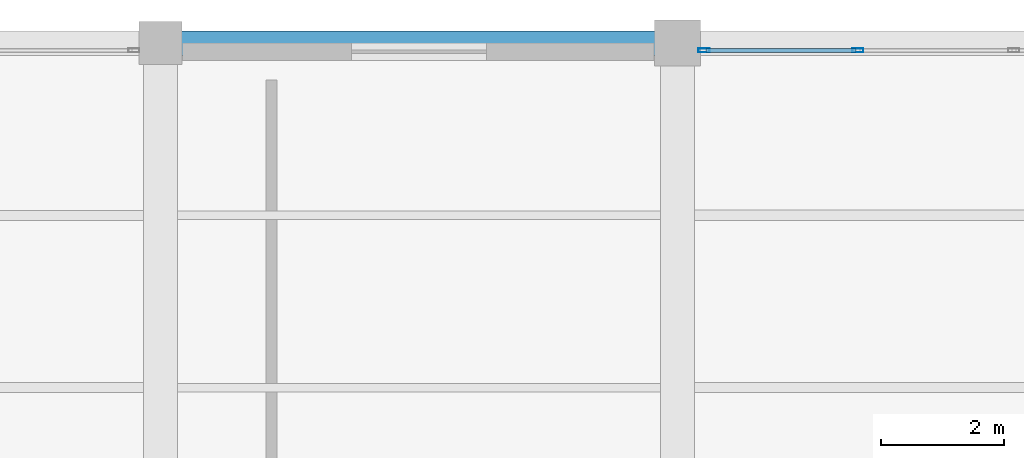
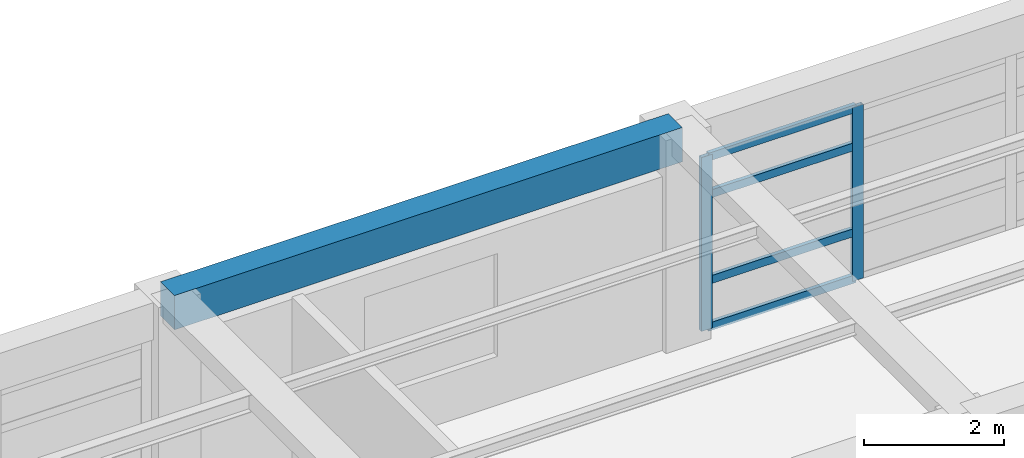
# One storey, part 20 of 26: 6 members, 1 beam, 1 element without a shape of its own.
"""IFC4 building model written with IfcOpenShell, lengths in metres."""

import ifcopenshell
import ifcopenshell.guid

model = None  # the IFC model being written
_history = None  # IfcOwnerHistory: only IFC2X3 demands one
_inside = {}  # id of a spatial element -> (the spatial element, [elements in it])
_under = {}  # id of a project, library or spatial element -> (it, [spatial elements below it])
_declared = {}  # id of a project -> (the project, [libraries it declares])
_typed = {}  # id of a type object -> (the type object, [elements of that type])
_made_of = {}  # id of a material, layer set ... -> (it, [elements and type objects made of it])


def new_model(schema):
    """Start an empty IFC model of exactly this schema.

    Asked for "IFC4X3", IfcOpenShell would pick the latest addendum, in which some entities
    have other attributes; the version numbers below select the first issue.
    IFC2X3 requires an IfcOwnerHistory on every rooted entity: one is made here for all.
    """
    global model, _history
    if schema == "IFC4X3":
        model = ifcopenshell.file(schema_version=(4, 3, 0, 0))
    else:
        model = ifcopenshell.file(schema=schema)
    _inside.clear()
    _under.clear()
    _declared.clear()
    _typed.clear()
    _made_of.clear()
    _history = None
    if model.schema == "IFC2X3":
        org = make("IfcOrganization", Name="unknown")
        user = make(
            "IfcPersonAndOrganization",
            ThePerson=make("IfcPerson", FamilyName="unknown"),
            TheOrganization=org,
        )
        app = make(
            "IfcApplication",
            ApplicationDeveloper=org,
            Version="unknown",
            ApplicationFullName="unknown",
            ApplicationIdentifier="unknown",
        )
        _history = make(
            "IfcOwnerHistory",
            OwningUser=user,
            OwningApplication=app,
            ChangeAction="ADDED",
            CreationDate=0,
        )
    return model


def make(cls, **values):
    """One entity of the class cls with the attributes given. An attribute that is None is left unset."""
    return model.create_entity(
        cls, **{name: value for name, value in values.items() if value is not None}
    )


def rooted(cls, **values):
    """An entity with a GlobalId (a new one), such as an element, a storey or a relation."""
    return make(cls, GlobalId=ifcopenshell.guid.new(), OwnerHistory=_history, **values)


def si_unit(unit_type, name, prefix=None):
    """IfcSIUnit, for example si_unit("LENGTHUNIT", "METRE", prefix="MILLI")."""
    return make("IfcSIUnit", UnitType=unit_type, Prefix=prefix, Name=name)


def assignment(units):
    """IfcUnitAssignment: the units of a project."""
    return None if units is None else make("IfcUnitAssignment", Units=units)


def point(xyz):
    """IfcCartesianPoint."""
    return None if xyz is None else make("IfcCartesianPoint", Coordinates=xyz)


def direction(xyz):
    """IfcDirection."""
    return None if xyz is None else make("IfcDirection", DirectionRatios=xyz)


def frame(location, z_axis=None, x_axis=None):
    """IfcAxis2Placement3D, a coordinate frame: its origin and axes. An axis left out is left unset."""
    return make(
        "IfcAxis2Placement3D",
        Location=point(location),
        Axis=direction(z_axis),
        RefDirection=direction(x_axis),
    )


def frame_2d(location, x_axis=None):
    """IfcAxis2Placement2D, a coordinate frame in the plane: its origin and x axis."""
    return make(
        "IfcAxis2Placement2D", Location=point(location), RefDirection=direction(x_axis)
    )


def origin():
    """The frame at (0, 0, 0) with its axes left unset."""
    return frame((0.0, 0.0, 0.0))


def origin_2d():
    """The frame at (0, 0) in the plane with its x axis left unset."""
    return frame_2d((0.0, 0.0))


def place(relative_to, where):
    """IfcLocalPlacement: puts the frame where relative to a parent placement (None: the world)."""
    return make(
        "IfcLocalPlacement", PlacementRelTo=relative_to, RelativePlacement=where
    )


def context(
    kind, dimensions, precision=None, world=None, true_north=None, identifier=None
):
    """IfcGeometricRepresentationContext, for example the 3D "Model" context."""
    return make(
        "IfcGeometricRepresentationContext",
        ContextIdentifier=identifier,
        ContextType=kind,
        CoordinateSpaceDimension=dimensions,
        Precision=precision,
        WorldCoordinateSystem=world,
        TrueNorth=true_north,
    )


def subcontext(parent, identifier, kind, view, scale=None):
    """IfcGeometricRepresentationSubContext, for example "Body" below "Model"."""
    return make(
        "IfcGeometricRepresentationSubContext",
        ContextIdentifier=identifier,
        ContextType=kind,
        ParentContext=parent,
        TargetScale=scale,
        TargetView=view,
    )


def project(units=None, contexts=None):
    """IfcProject with its units and contexts."""
    return rooted(
        "IfcProject",
        Name="project",
        RepresentationContexts=contexts,
        UnitsInContext=assignment(units),
    )


def spatial(cls, under=None, at=None, **own):
    """A site, building, storey or space (cls), placed at a placement, below another one or the project."""
    s = rooted(cls, ObjectPlacement=at, **own)
    if under is not None:
        _under.setdefault(under.id(), (under, []))[1].append(s)
    return s


def profile(cls, at=None, kind="AREA", **sizes):
    """A parametric profile (cls). Its sizes go by their IFC names, for example OverallWidth=200.0."""
    return make(cls, ProfileType=kind, Position=at, **sizes)


def rectangle(**sizes):
    """IfcRectangleProfileDef."""
    return profile("IfcRectangleProfileDef", **sizes)


def hollow_rectangle(**sizes):
    """IfcRectangleHollowProfileDef."""
    return profile("IfcRectangleHollowProfileDef", **sizes)


def extrude(swept, where, along, depth):
    """IfcExtrudedAreaSolid: the profile swept, set in the frame where, extruded along a direction by depth."""
    return make(
        "IfcExtrudedAreaSolid",
        SweptArea=swept,
        Position=where,
        ExtrudedDirection=direction(along),
        Depth=depth,
    )


def shape(context_of_items, identifier, shape_type, items):
    """IfcShapeRepresentation: the items that make up one representation, for example the "Body"."""
    return make(
        "IfcShapeRepresentation",
        ContextOfItems=context_of_items,
        RepresentationIdentifier=identifier,
        RepresentationType=shape_type,
        Items=items,
    )


def material(Name=None, Category=None):
    """IfcMaterial."""
    return make("IfcMaterial", Name=Name, Category=Category)


def material_profile(
    of_material, cross_section, Name=None, Category=None, Priority=None
):
    """IfcMaterialProfile: a cross section and its material."""
    return make(
        "IfcMaterialProfile",
        Name=Name,
        Material=of_material,
        Profile=cross_section,
        Priority=Priority,
        Category=Category,
    )


def profile_set(profiles, Name=None, composite=None):
    """IfcMaterialProfileSet."""
    return make(
        "IfcMaterialProfileSet",
        Name=Name,
        MaterialProfiles=profiles,
        CompositeProfile=composite,
    )


def made_of(thing, what):
    """Note that an element or type object is made of a material, layer set ...; save() writes the relation."""
    if what is not None:
        _made_of.setdefault(what.id(), (what, []))[1].append(thing)
    return thing


def type_object(cls, material=None, **own):
    """A type object (cls), such as IfcWallType, which elements share."""
    return made_of(rooted(cls, **own), material)


def element(
    cls,
    number,
    at=None,
    inside=None,
    cuts=None,
    type_object=None,
    material=None,
    context=None,
    identifier="Body",
    shape_type=None,
    held_by="IfcProductDefinitionShape",
    body=None,
    shapes=None,
    **own,
):
    """One element of the class cls, such as IfcWall. Its Tag is "e" and its number.

    at: its placement. inside: the storey or other place that contains it. cuts: it is an
    opening in that element (IfcRelVoidsElement). A single representation is given by context,
    identifier, shape_type and body (its items); several are given by shapes. held_by: the class
    of the entity that holds the representations. save() writes the other relations.
    """
    e = rooted(cls, Tag="e%d" % number, ObjectPlacement=at, **own)
    if body is not None:
        shapes = [shape(context, identifier, shape_type, body)]
    if shapes is not None:
        e.Representation = make(held_by, Representations=shapes)
    if inside is not None:
        _inside.setdefault(inside.id(), (inside, []))[1].append(e)
    if cuts is not None:
        rooted(
            "IfcRelVoidsElement", RelatingBuildingElement=cuts, RelatedOpeningElement=e
        )
    if type_object is not None:
        _typed.setdefault(type_object.id(), (type_object, []))[1].append(e)
    return made_of(e, material)


def aggregate(whole, parts):
    """IfcRelAggregates: a whole, such as a stair, and the parts it consists of."""
    return rooted("IfcRelAggregates", RelatingObject=whole, RelatedObjects=parts)


def save(model, path):
    """Write the relations noted so far, then the file.

    IfcRelAggregates (storeys below a building ...), IfcRelContainedInSpatialStructure (elements
    in a storey), IfcRelDefinesByType, IfcRelAssociatesMaterial and IfcRelDeclares: one each for
    every whole, place, type object, material and project.
    """
    for whole, parts in _under.values():
        aggregate(whole, parts)
    for where, things in _inside.values():
        rooted(
            "IfcRelContainedInSpatialStructure",
            RelatedElements=things,
            RelatingStructure=where,
        )
    for kind, things in _typed.values():
        rooted("IfcRelDefinesByType", RelatedObjects=things, RelatingType=kind)
    for what, things in _made_of.values():
        rooted("IfcRelAssociatesMaterial", RelatedObjects=things, RelatingMaterial=what)
    for by, libraries in _declared.values():
        rooted("IfcRelDeclares", RelatingContext=by, RelatedDefinitions=libraries)
    model.write(path)


model = new_model("IFC4")

# Units and contexts
model_context = context("Model", 3, precision=1e-05, world=origin(), true_north=direction((0.0, 1.0)))
body_context = subcontext(model_context, "Body", "Model", "MODEL_VIEW")
ifc_project = project(units=[si_unit("LENGTHUNIT", "METRE"), si_unit("AREAUNIT", "SQUARE_METRE"), si_unit("VOLUMEUNIT", "CUBIC_METRE"), si_unit("PLANEANGLEUNIT", "RADIAN"), si_unit("MASSUNIT", "GRAM", prefix="KILO")], contexts=[model_context])

# Site, building, storey
site_placement = place(None, origin())
site = spatial("IfcSite", under=ifc_project, at=site_placement, CompositionType="ELEMENT")
building_placement = place(site_placement, origin())
building = spatial("IfcBuilding", under=site, at=building_placement, Name="Almacenes y Pasaje Nevantli", CompositionType="ELEMENT")
storey_placement = place(building_placement, frame((0.0, 0.0, 30.699951171875)))
storey = spatial("IfcBuildingStorey", under=building, at=storey_placement, Name="L07", CompositionType="ELEMENT", Elevation=30.699951171875)

# Beam
ifc_material_1 = material(Name="Concrete C35/45", Category="concrete")
ifc_material_profile_1 = material_profile(ifc_material_1, rectangle(XDim=0.39990234375, YDim=0.60009765625, at=origin_2d()), Name="RC-BM-400x600")
ifc_profile_set_1 = profile_set([ifc_material_profile_1], Name="Concrete C35/45")
beam_type = type_object("IfcBeamType", Name="BM-RC-400x600", PredefinedType="SPANDREL", material=ifc_profile_set_1)
beam_placement = place(storey_placement, frame((142.800048828125, 100.800048828125, 3.420166015625), z_axis=(1.0, 0.0, 0.0), x_axis=(0.0, 1.0, 0.0)))
element("IfcBeam", 1, at=beam_placement, inside=storey, type_object=beam_type, Name="L07 East-West Reinforced Concrete Beam #3657", PredefinedType="SPANDREL", context=body_context, shape_type="SweptSolid", body=[
    extrude(rectangle(XDim=0.39990234375, YDim=0.60009765625, at=origin_2d()), origin(), (0.0, 0.0, 1.0), 8.39990234375),
])

# Curtain wall, members
ifc_material_2 = material(Name="Thermally Broken Aluminium and Low-E Glass", Category="aluminium")
curtain_wall_type = type_object("IfcCurtainWallType", Name="CW-UNIT-TOWER", PredefinedType="USERDEFINED", material=ifc_material_2)
curtain_wall_placement = place(storey_placement, origin())
curtain_wall = element("IfcCurtainWall", 2, at=curtain_wall_placement, inside=storey, type_object=curtain_wall_type, Name="L07 Tower North Boulevard Unitized Curtain Wall Bay 19", ObjectType="UNITIZED CURTAIN WALL", PredefinedType="USERDEFINED")
ifc_material_3 = material(Name="Thermally Broken Anodized Aluminium", Category="aluminium")
ifc_material_profile_2 = material_profile(ifc_material_3, hollow_rectangle(XDim=0.06494140625, YDim=0.179931640625, WallThickness=0.00390625, at=origin_2d()), Name="ALU-MUL-65x180")
ifc_profile_set_2 = profile_set([ifc_material_profile_2], Name="Thermally Broken Anodized Aluminium")
member_type_1 = type_object("IfcMemberType", Name="CW-MUL-200", PredefinedType="MULLION", material=ifc_profile_set_2)
member_1_placement = place(storey_placement, frame((151.632568359375, 100.679931640625, 0.0), z_axis=(0.0, 0.0, 1.0), x_axis=(0.0, 1.0, 0.0)))
member_1 = element("IfcMember", 3, at=member_1_placement, type_object=member_type_1, Name="CW-L07-116 mullion 1", PredefinedType="MULLION", context=body_context, shape_type="SweptSolid", body=[
    extrude(hollow_rectangle(XDim=0.06494140625, YDim=0.179931640625, WallThickness=0.00390625, at=origin_2d()), origin(), (0.0, 0.0, 1.0), 3.0400390625),
])
member_2_placement = place(storey_placement, frame((154.13330078125, 100.679931640625, 0.0), z_axis=(0.0, 0.0, 1.0), x_axis=(0.0, 1.0, 0.0)))
member_2 = element("IfcMember", 4, at=member_2_placement, type_object=member_type_1, Name="CW-L07-116 mullion 2", PredefinedType="MULLION", context=body_context, shape_type="SweptSolid", body=[
    extrude(hollow_rectangle(XDim=0.06494140625, YDim=0.179931640625, WallThickness=0.00390625, at=origin_2d()), origin(), (0.0, 0.0, 1.0), 3.0400390625),
])
ifc_material_4 = material(Name="Thermally Broken Anodized Aluminium", Category="aluminium")
ifc_material_profile_3 = material_profile(ifc_material_4, hollow_rectangle(XDim=0.06494140625, YDim=0.139892578125, WallThickness=0.00390625, at=origin_2d()), Name="ALU-TRN-65x140")
ifc_profile_set_3 = profile_set([ifc_material_profile_3], Name="Thermally Broken Anodized Aluminium")
member_type_2 = type_object("IfcMemberType", Name="CW-TRN-150", PredefinedType="USERDEFINED", material=ifc_profile_set_3)
member_3_placement = place(storey_placement, frame((151.6650390625, 100.679931640625, 0.032470703125), z_axis=(1.0, 0.0, 0.0), x_axis=(0.0, 1.0, 0.0)))
member_3 = element("IfcMember", 5, at=member_3_placement, type_object=member_type_2, Name="CW-L07-116 transom 1.1", ObjectType="TRANSOM", PredefinedType="USERDEFINED", context=body_context, shape_type="SweptSolid", body=[
    extrude(hollow_rectangle(XDim=0.06494140625, YDim=0.139892578125, WallThickness=0.00390625, at=origin_2d()), origin(), (0.0, 0.0, 1.0), 2.435791015625),
])
member_4_placement = place(storey_placement, frame((151.6650390625, 100.679931640625, 0.85009765625), z_axis=(1.0, 0.0, 0.0), x_axis=(0.0, 1.0, 0.0)))
member_4 = element("IfcMember", 6, at=member_4_placement, type_object=member_type_2, Name="CW-L07-116 transom 1.2", ObjectType="TRANSOM", PredefinedType="USERDEFINED", context=body_context, shape_type="SweptSolid", body=[
    extrude(hollow_rectangle(XDim=0.06494140625, YDim=0.139892578125, WallThickness=0.00390625, at=origin_2d()), origin(), (0.0, 0.0, 1.0), 2.435791015625),
])
member_5_placement = place(storey_placement, frame((151.6650390625, 100.679931640625, 2.35009765625), z_axis=(1.0, 0.0, 0.0), x_axis=(0.0, 1.0, 0.0)))
member_5 = element("IfcMember", 7, at=member_5_placement, type_object=member_type_2, Name="CW-L07-116 transom 1.3", ObjectType="TRANSOM", PredefinedType="USERDEFINED", context=body_context, shape_type="SweptSolid", body=[
    extrude(hollow_rectangle(XDim=0.06494140625, YDim=0.139892578125, WallThickness=0.00390625, at=origin_2d()), origin(), (0.0, 0.0, 1.0), 2.435791015625),
])
member_6_placement = place(storey_placement, frame((151.6650390625, 100.679931640625, 3.007568359375), z_axis=(1.0, 0.0, 0.0), x_axis=(0.0, 1.0, 0.0)))
member_6 = element("IfcMember", 8, at=member_6_placement, type_object=member_type_2, Name="CW-L07-116 transom 1.4", ObjectType="TRANSOM", PredefinedType="USERDEFINED", context=body_context, shape_type="SweptSolid", body=[
    extrude(hollow_rectangle(XDim=0.06494140625, YDim=0.139892578125, WallThickness=0.00390625, at=origin_2d()), origin(), (0.0, 0.0, 1.0), 2.435791015625),
])
aggregate(curtain_wall, [member_1, member_2, member_3, member_4, member_5, member_6])

save(model, "model.ifc")
